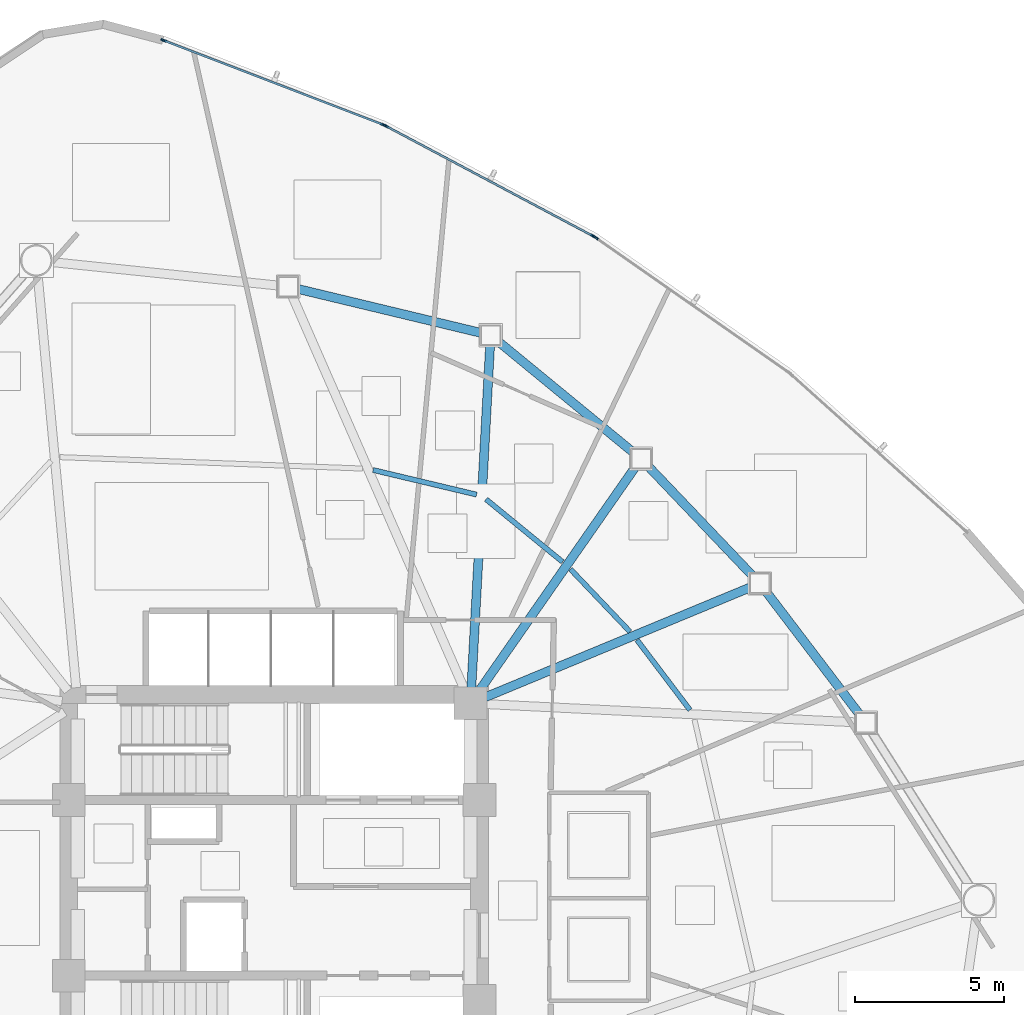
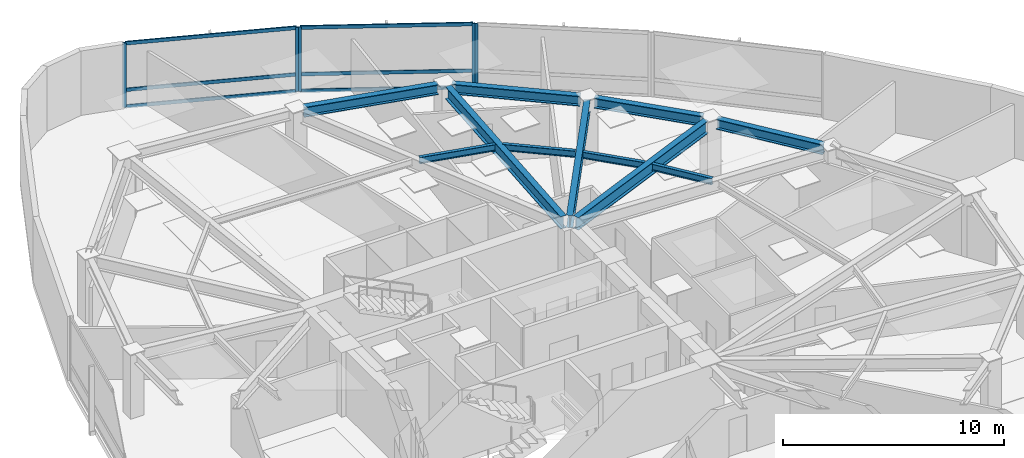
# One storey, part 8 of 17: 11 beams, 11 members, 3 elements without a shape of their own.
"""IFC4 building model written with IfcOpenShell, lengths in metres."""

from ifc_helpers import new_model, si_unit, direction, frame, origin, origin_2d, place, context, subcontext, project, spatial, hollow_rectangle, i_section, extrude, source, transform, mapped, material, layer, layer_set, material_profile, profile_set, type_object, type_shapes, element, aggregate, save


model = new_model("IFC4")

# Units and contexts
model_context = context("Model", 3, precision=1e-05, world=origin(), true_north=direction((0.0, 1.0)))
body_context = subcontext(model_context, "Body", "Model", "MODEL_VIEW")
ifc_project = project(units=[si_unit("LENGTHUNIT", "METRE"), si_unit("AREAUNIT", "SQUARE_METRE"), si_unit("VOLUMEUNIT", "CUBIC_METRE"), si_unit("PLANEANGLEUNIT", "RADIAN"), si_unit("MASSUNIT", "GRAM", prefix="KILO")], contexts=[model_context])

# Site, building, storey
site_placement = place(None, origin())
site = spatial("IfcSite", under=ifc_project, at=site_placement, CompositionType="ELEMENT")
building_placement = place(site_placement, origin())
building = spatial("IfcBuilding", under=site, at=building_placement, Name="Tavelor Broadcast Tower", CompositionType="ELEMENT")
storey_placement = place(building_placement, frame((0.0, 0.0, 123.300048828125)))
storey = spatial("IfcBuildingStorey", under=building, at=storey_placement, Name="L28", CompositionType="ELEMENT", Elevation=123.300048828125)

# Beams
ifc_material_1 = material(Name="Steel S355", Category="steel")
ifc_material_profile_1 = material_profile(ifc_material_1, i_section(OverallWidth=0.169921875, OverallDepth=0.360107421875, WebThickness=0.008056640625, FlangeThickness=0.0126953125, at=origin_2d()), Name="IPE 360")
ifc_profile_set_1 = profile_set([ifc_material_profile_1], Name="Steel S355")
beam_type_1 = type_object("IfcBeamType", Name="Composite Floor Joist T3 IPE 360", PredefinedType="JOIST", material=ifc_profile_set_1)
beam_1_placement = place(storey_placement, frame((63.97509765625, 50.974853515625, 3.369873046875), z_axis=(-0.603343158319, 0.797481682116, 0.0), x_axis=(-0.797481682116, -0.603343158319, 0.0)))
element("IfcBeam", 1, at=beam_1_placement, inside=storey, type_object=beam_type_1, Name="L28 Secondary Composite Floor Joist 14", PredefinedType="JOIST", context=body_context, shape_type="SweptSolid", body=[
    extrude(i_section(OverallWidth=0.169921875, OverallDepth=0.360107421875, WebThickness=0.008056640625, FlangeThickness=0.0126953125, at=origin_2d()), origin(), (0.0, 0.0, 1.0), 2.951416015625),
])
beam_2_placement = place(storey_placement, frame((61.960205078125, 53.60400390625, 3.369873046875), z_axis=(-0.689436692526, 0.724345944283, 0.0), x_axis=(-0.724345944283, -0.689436692526, 0.0)))
element("IfcBeam", 2, at=beam_2_placement, inside=storey, type_object=beam_type_1, Name="L28 Secondary Composite Floor Joist 15", PredefinedType="JOIST", context=body_context, shape_type="SweptSolid", body=[
    extrude(i_section(OverallWidth=0.169921875, OverallDepth=0.360107421875, WebThickness=0.008056640625, FlangeThickness=0.0126953125, at=origin_2d()), origin(), (0.0, 0.0, 1.0), 2.90234375),
])
beam_3_placement = place(storey_placement, frame((59.6943359375, 55.951904296875, 3.369873046875), z_axis=(-0.774130723206, 0.633025768345, 0.0), x_axis=(-0.633025768345, -0.774130723206, 0.0)))
element("IfcBeam", 3, at=beam_3_placement, inside=storey, type_object=beam_type_1, Name="L28 Secondary Composite Floor Joist 16", PredefinedType="JOIST", context=body_context, shape_type="SweptSolid", body=[
    extrude(i_section(OverallWidth=0.169921875, OverallDepth=0.360107421875, WebThickness=0.008056640625, FlangeThickness=0.0126953125, at=origin_2d()), origin(), (0.0, 0.0, 1.0), 3.32373046875),
])
beam_4_placement = place(storey_placement, frame((56.80517578125, 58.21240234375, 3.369873046875), z_axis=(-0.972854549724, 0.231417426056, 0.0), x_axis=(-0.231417426056, -0.972854549724, 0.0)))
element("IfcBeam", 4, at=beam_4_placement, inside=storey, type_object=beam_type_1, Name="L28 Secondary Composite Floor Joist 17", PredefinedType="JOIST", context=body_context, shape_type="SweptSolid", body=[
    extrude(i_section(OverallWidth=0.169921875, OverallDepth=0.360107421875, WebThickness=0.008056640625, FlangeThickness=0.0126953125, at=origin_2d()), origin(), (0.0, 0.0, 1.0), 3.575439453125),
])
ifc_material_profile_2 = material_profile(ifc_material_1, i_section(OverallWidth=0.300048828125, OverallDepth=0.550048828125, WebThickness=0.014892578125, FlangeThickness=0.029052734375, at=origin_2d()), Name="HEB 550")
ifc_profile_set_2 = profile_set([ifc_material_profile_2], Name="Steel S355")
beam_type_2 = type_object("IfcBeamType", Name="Perimeter Spandrel Beam T3 HEB 550", PredefinedType="SPANDREL", material=ifc_profile_set_2)
beam_5_placement = place(storey_placement, frame((69.6826171875, 50.8115234375, 3.27490234375), z_axis=(-0.605507005058, 0.795839975639, 0.0), x_axis=(-0.795839975639, -0.605507005058, 0.0)))
element("IfcBeam", 5, at=beam_5_placement, inside=storey, type_object=beam_type_2, Name="L28 Framed-Tube Ring Spandrel 14", PredefinedType="SPANDREL", context=body_context, shape_type="SweptSolid", body=[
    extrude(i_section(OverallWidth=0.300048828125, OverallDepth=0.550048828125, WebThickness=0.014892578125, FlangeThickness=0.029052734375, at=origin_2d()), origin(), (0.0, 0.0, 1.0), 5.214111328125),
])
beam_6_placement = place(storey_placement, frame((66.090087890625, 55.471923828125, 3.27490234375), z_axis=(-0.689928162502, 0.723877842309, 0.0), x_axis=(-0.723877842309, -0.689928162502, 0.0)))
element("IfcBeam", 6, at=beam_6_placement, inside=storey, type_object=beam_type_2, Name="L28 Framed-Tube Ring Spandrel 15", PredefinedType="SPANDREL", context=body_context, shape_type="SweptSolid", body=[
    extrude(i_section(OverallWidth=0.300048828125, OverallDepth=0.550048828125, WebThickness=0.014892578125, FlangeThickness=0.029052734375, at=origin_2d()), origin(), (0.0, 0.0, 1.0), 5.113037109375),
])
beam_7_placement = place(storey_placement, frame((62.0712890625, 59.62939453125, 3.27490234375), z_axis=(-0.772702936962, 0.634767808896, 0.0), x_axis=(-0.634767808896, -0.772702936962, 0.0)))
element("IfcBeam", 7, at=beam_7_placement, inside=storey, type_object=beam_type_2, Name="L28 Framed-Tube Ring Spandrel 16", PredefinedType="SPANDREL", context=body_context, shape_type="SweptSolid", body=[
    extrude(i_section(OverallWidth=0.300048828125, OverallDepth=0.550048828125, WebThickness=0.014892578125, FlangeThickness=0.029052734375, at=origin_2d()), origin(), (0.0, 0.0, 1.0), 5.869140625),
])
beam_8_placement = place(storey_placement, frame((56.949951171875, 63.64697265625, 3.27490234375), z_axis=(-0.972363823797, 0.233470756565, 0.0), x_axis=(-0.233470756565, -0.972363823797, 0.0)))
element("IfcBeam", 8, at=beam_8_placement, inside=storey, type_object=beam_type_2, Name="L28 Framed-Tube Ring Spandrel 17", PredefinedType="SPANDREL", context=body_context, shape_type="SweptSolid", body=[
    extrude(i_section(OverallWidth=0.300048828125, OverallDepth=0.550048828125, WebThickness=0.014892578125, FlangeThickness=0.029052734375, at=origin_2d()), origin(), (0.0, 0.0, 1.0), 6.325439453125),
])
ifc_material_profile_3 = material_profile(ifc_material_1, i_section(OverallWidth=0.300048828125, OverallDepth=0.68994140625, WebThickness=0.014404296875, FlangeThickness=0.027099609375, at=origin_2d()), Name="HEA 700")
ifc_profile_set_3 = profile_set([ifc_material_profile_3], Name="Steel S355")
beam_type_3 = type_object("IfcBeamType", Name="Radial Floor Girder T3 HEA 700", PredefinedType="BEAM", material=ifc_profile_set_3)
beam_9_placement = place(storey_placement, frame((57.087890625, 51.402099609375, 3.204833984375), z_axis=(0.92381625254, 0.382836168018, 0.0), x_axis=(-0.382836168018, 0.92381625254, 0.0)))
element("IfcBeam", 9, at=beam_9_placement, inside=storey, type_object=beam_type_3, Name="L28 Radial Primary Floor Girder 15", PredefinedType="BEAM", context=body_context, shape_type="SweptSolid", body=[
    extrude(i_section(OverallWidth=0.300048828125, OverallDepth=0.68994140625, WebThickness=0.014404296875, FlangeThickness=0.027099609375, at=origin_2d()), origin(), (0.0, 0.0, 1.0), 9.659423828125),
])
beam_10_placement = place(storey_placement, frame((56.902099609375, 51.633056640625, 3.204833984375), z_axis=(0.572088555537, 0.820191858423, 0.0), x_axis=(-0.820191858423, 0.572088555537, 0.0)))
element("IfcBeam", 10, at=beam_10_placement, inside=storey, type_object=beam_type_3, Name="L28 Radial Primary Floor Girder 16", PredefinedType="BEAM", context=body_context, shape_type="SweptSolid", body=[
    extrude(i_section(OverallWidth=0.300048828125, OverallDepth=0.68994140625, WebThickness=0.014404296875, FlangeThickness=0.027099609375, at=origin_2d()), origin(), (0.0, 0.0, 1.0), 9.1533203125),
])
beam_11_placement = place(storey_placement, frame((56.62890625, 51.727294921875, 3.204833984375), z_axis=(0.054621583664, 0.998507126964, 0.0), x_axis=(-0.998507126964, 0.054621583664, 0.0)))
element("IfcBeam", 11, at=beam_11_placement, inside=storey, type_object=beam_type_3, Name="L28 Radial Primary Floor Girder 17", PredefinedType="BEAM", context=body_context, shape_type="SweptSolid", body=[
    extrude(i_section(OverallWidth=0.300048828125, OverallDepth=0.68994140625, WebThickness=0.014404296875, FlangeThickness=0.027099609375, at=origin_2d()), origin(), (0.0, 0.0, 1.0), 11.522705078125),
])

# Curtain wall, member
ifc_material_2 = material(Name="Architectural Anodized Aluminium", Category="aluminium")
ifc_layer = layer(ifc_material_2, 0.18994140625)
ifc_layer_set = layer_set([ifc_layer], Name="Architectural Anodized Aluminium")
curtain_wall_type = type_object("IfcCurtainWallType", Name="Tower Mid-Zone Acoustic Curtain Wall CW03", PredefinedType="NOTDEFINED", material=ifc_layer_set)
curtain_wall_1_placement = place(storey_placement, origin())
curtain_wall_1 = element("IfcCurtainWall", 12, at=curtain_wall_1_placement, inside=storey, type_object=curtain_wall_type, Name="L28 Curtain Wall CW03 Run 286", PredefinedType="NOTDEFINED")
ifc_material_profile_4 = material_profile(ifc_material_2, hollow_rectangle(XDim=0.068115234375, YDim=0.18994140625, WallThickness=0.02197265625, at=origin_2d()), Name="RHS 68x190x22")
ifc_profile_set_4 = profile_set([ifc_material_profile_4], Name="Architectural Anodized Aluminium")
member_type_1 = type_object("IfcMemberType", Name="CW03 Extruded Aluminium Mullion 68x190", PredefinedType="MULLION", material=ifc_profile_set_4)
shared_shape_1 = source(origin(), body_context, "Body", "SweptSolid", [
    extrude(hollow_rectangle(XDim=0.068115234375, YDim=0.18994140625, WallThickness=0.02197265625, at=origin_2d()), origin(), (0.0, 0.0, 1.0), 3.550048828125),
])
type_shapes(member_type_1, [shared_shape_1])
member_1_placement = place(storey_placement, frame((60.805419921875, 66.84716796875, 0.0), z_axis=(0.0, 0.0, 1.0), x_axis=(-0.572500408226, -0.819904435029, 0.0)))
member_1 = element("IfcMember", 13, at=member_1_placement, type_object=member_type_1, Name="CW03 mullion 2", PredefinedType="MULLION", context=body_context, shape_type="MappedRepresentation", body=[
    mapped(shared_shape_1, transform((0.0, 0.0, 0.0), scale=1.0)),
])
aggregate(curtain_wall_1, [member_1])

# Curtain wall, members
curtain_wall_2_placement = place(storey_placement, origin())
curtain_wall_2 = element("IfcCurtainWall", 14, at=curtain_wall_2_placement, inside=storey, type_object=curtain_wall_type, Name="L28 Curtain Wall CW03 Run 287", PredefinedType="NOTDEFINED")
member_2_placement = place(storey_placement, frame((60.72216796875, 66.898193359375, 0.0), z_axis=(0.0, 0.0, 1.0), x_axis=(-0.469066399779, -0.883162902639, 0.0)))
member_2 = element("IfcMember", 15, at=member_2_placement, type_object=member_type_1, Name="CW03 mullion 1", PredefinedType="MULLION", context=body_context, shape_type="MappedRepresentation", body=[
    mapped(shared_shape_1, transform((0.0, 0.0, 0.0), scale=1.0)),
])
member_3_placement = place(storey_placement, frame((53.754638671875, 70.5986328125, 0.0), z_axis=(0.0, 0.0, 1.0), x_axis=(-0.469066399779, -0.883162902639, 0.0)))
member_3 = element("IfcMember", 16, at=member_3_placement, type_object=member_type_1, Name="CW03 mullion 2", PredefinedType="MULLION", context=body_context, shape_type="MappedRepresentation", body=[
    mapped(shared_shape_1, transform((0.0, 0.0, 0.0), scale=1.0)),
])

curtain_wall_3_placement = place(storey_placement, origin())
curtain_wall_3 = element("IfcCurtainWall", 17, at=curtain_wall_3_placement, inside=storey, type_object=curtain_wall_type, Name="L28 Curtain Wall CW03 Run 288", PredefinedType="NOTDEFINED")
member_4_placement = place(storey_placement, frame((53.665771484375, 70.639404296875, 0.0), z_axis=(0.0, 0.0, 1.0), x_axis=(-0.358740372305, -0.933437381552, 0.0)))
member_4 = element("IfcMember", 18, at=member_4_placement, type_object=member_type_1, Name="CW03 mullion 1", PredefinedType="MULLION", context=body_context, shape_type="MappedRepresentation", body=[
    mapped(shared_shape_1, transform((0.0, 0.0, 0.0), scale=1.0)),
])
member_5_placement = place(storey_placement, frame((46.286865234375, 73.47509765625, 0.0), z_axis=(0.0, 0.0, 1.0), x_axis=(-0.358740372305, -0.933437381552, 0.0)))
member_5 = element("IfcMember", 19, at=member_5_placement, type_object=member_type_1, Name="CW03 mullion 2", PredefinedType="MULLION", context=body_context, shape_type="MappedRepresentation", body=[
    mapped(shared_shape_1, transform((0.0, 0.0, 0.0), scale=1.0)),
])
ifc_material_profile_5 = material_profile(ifc_material_2, hollow_rectangle(XDim=0.068115234375, YDim=0.18994140625, WallThickness=0.02197265625, at=origin_2d()), Name="RHS 68x190x22")
ifc_profile_set_5 = profile_set([ifc_material_profile_5], Name="Architectural Anodized Aluminium")
member_type_2 = type_object("IfcMemberType", Name="CW03 Extruded Aluminium Transom 68x190", PredefinedType="USERDEFINED", material=ifc_profile_set_5)
shared_shape_2 = source(origin(), body_context, "Body", "SweptSolid", [
    extrude(hollow_rectangle(XDim=0.068115234375, YDim=0.18994140625, WallThickness=0.02197265625, at=origin_2d()), origin(), (0.0, 0.0, 1.0), 7.8369140625),
])
member_6_placement = place(storey_placement, frame((53.634033203125, 70.651611328125, 0.033935546875), z_axis=(-0.933445931348, 0.358718125066, 0.0), x_axis=(-0.358718125066, -0.933445931348, 0.0)))
member_6 = element("IfcMember", 20, at=member_6_placement, type_object=member_type_2, Name="CW03 transom 1.1", ObjectType="TRANSOM", PredefinedType="USERDEFINED", context=body_context, shape_type="MappedRepresentation", body=[
    mapped(shared_shape_2, transform((0.0, 0.0, 0.0), scale=1.0)),
])
member_7_placement = place(storey_placement, frame((53.634033203125, 70.651611328125, 0.949951171875), z_axis=(-0.933445931348, 0.358718125066, 0.0), x_axis=(-0.358718125066, -0.933445931348, 0.0)))
member_7 = element("IfcMember", 21, at=member_7_placement, type_object=member_type_2, Name="CW03 transom 1.2", ObjectType="TRANSOM", PredefinedType="USERDEFINED", context=body_context, shape_type="MappedRepresentation", body=[
    mapped(shared_shape_2, transform((0.0, 0.0, 0.0), scale=1.0)),
])
member_8_placement = place(storey_placement, frame((53.634033203125, 70.651611328125, 3.515869140625), z_axis=(-0.933445931348, 0.358718125066, 0.0), x_axis=(-0.358718125066, -0.933445931348, 0.0)))
member_8 = element("IfcMember", 22, at=member_8_placement, type_object=member_type_2, Name="CW03 transom 1.3", ObjectType="TRANSOM", PredefinedType="USERDEFINED", context=body_context, shape_type="MappedRepresentation", body=[
    mapped(shared_shape_2, transform((0.0, 0.0, 0.0), scale=1.0)),
])
aggregate(curtain_wall_3, [member_4, member_5, member_6, member_7, member_8])

# Member
shared_shape_3 = source(origin(), body_context, "Body", "SweptSolid", [
    extrude(hollow_rectangle(XDim=0.068115234375, YDim=0.18994140625, WallThickness=0.02197265625, at=origin_2d()), origin(), (0.0, 0.0, 1.0), 7.8212890625),
])
type_shapes(member_type_2, [shared_shape_2, shared_shape_3])
member_9_placement = place(storey_placement, frame((60.692138671875, 66.914306640625, 0.033935546875), z_axis=(-0.883175931897, 0.469041867341, 0.0), x_axis=(-0.469041867341, -0.883175931897, 0.0)))
member_9 = element("IfcMember", 23, at=member_9_placement, type_object=member_type_2, Name="CW03 transom 1.1", ObjectType="TRANSOM", PredefinedType="USERDEFINED", context=body_context, shape_type="MappedRepresentation", body=[
    mapped(shared_shape_3, transform((0.0, 0.0, 0.0), scale=1.0)),
])

member_10_placement = place(storey_placement, frame((60.692138671875, 66.914306640625, 0.949951171875), z_axis=(-0.883175931897, 0.469041867341, 0.0), x_axis=(-0.469041867341, -0.883175931897, 0.0)))
member_10 = element("IfcMember", 24, at=member_10_placement, type_object=member_type_2, Name="CW03 transom 1.2", ObjectType="TRANSOM", PredefinedType="USERDEFINED", context=body_context, shape_type="MappedRepresentation", body=[
    mapped(shared_shape_3, transform((0.0, 0.0, 0.0), scale=1.0)),
])

member_11_placement = place(storey_placement, frame((60.692138671875, 66.914306640625, 3.515869140625), z_axis=(-0.883175931897, 0.469041867341, 0.0), x_axis=(-0.469041867341, -0.883175931897, 0.0)))
member_11 = element("IfcMember", 25, at=member_11_placement, type_object=member_type_2, Name="CW03 transom 1.3", ObjectType="TRANSOM", PredefinedType="USERDEFINED", context=body_context, shape_type="MappedRepresentation", body=[
    mapped(shared_shape_3, transform((0.0, 0.0, 0.0), scale=1.0)),
])

aggregate(curtain_wall_2, [member_2, member_3, member_9, member_10, member_11])

save(model, "model.ifc")
